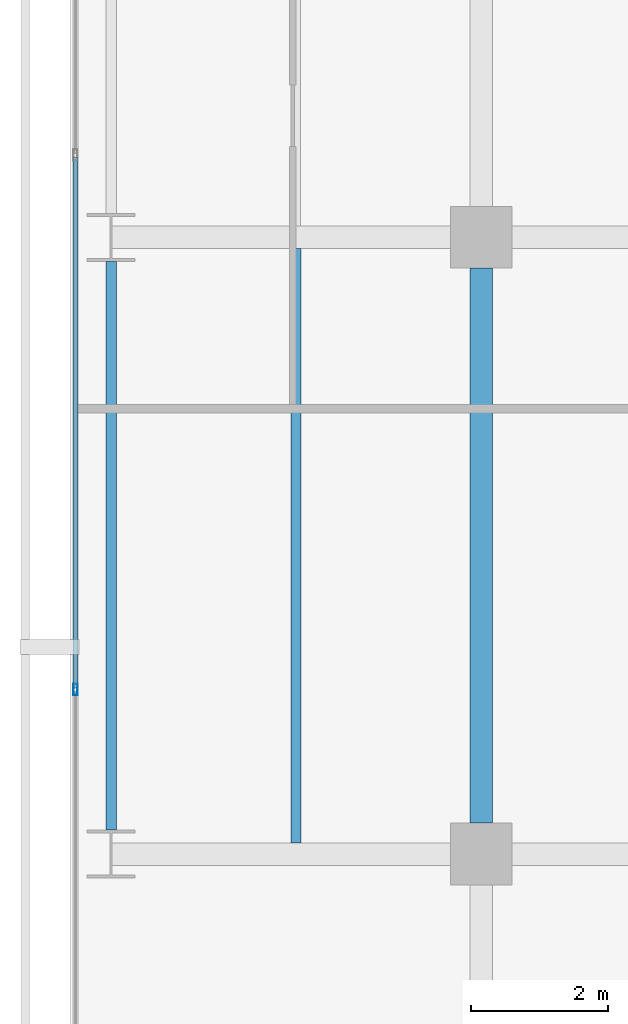
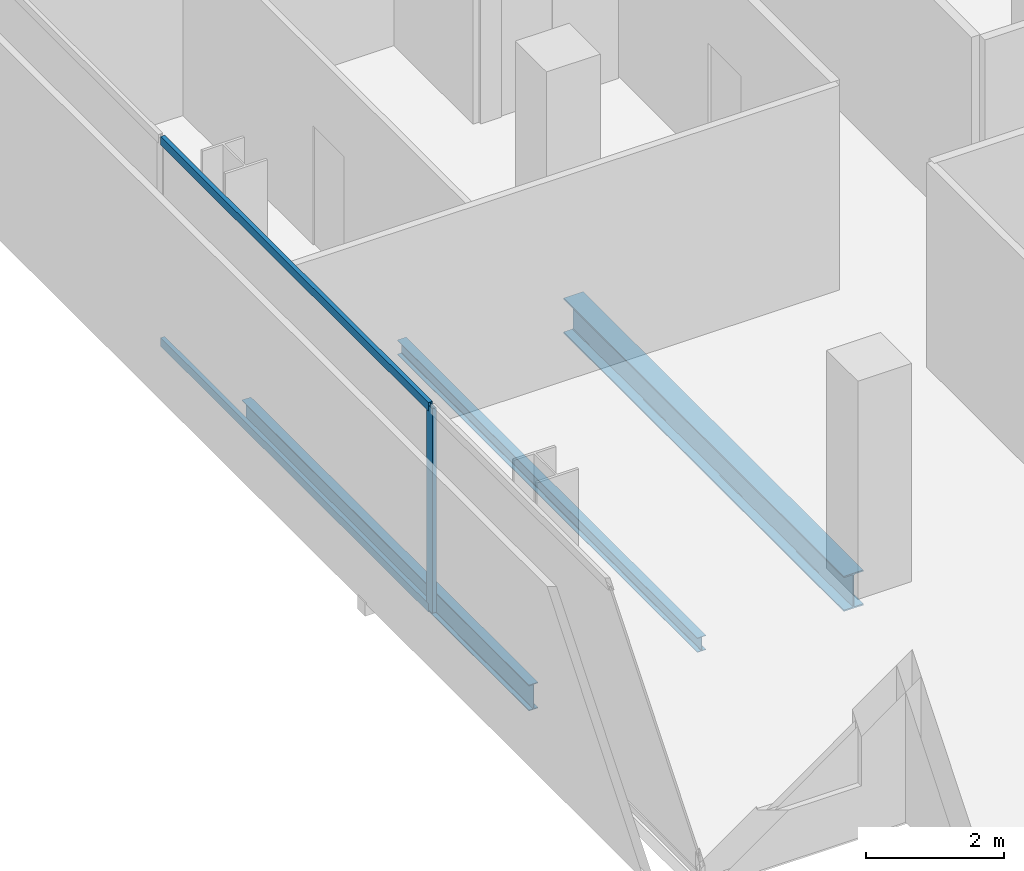
# One storey, part 5 of 39: 3 beams, 3 members, 1 element without a shape of its own.
"""IFC4 building model written with IfcOpenShell, lengths in metres."""

from ifc_helpers import new_model, si_unit, direction, frame, origin, origin_2d, place, context, subcontext, project, spatial, hollow_rectangle, i_section, extrude, material, layer, layer_set, material_profile, profile_set, type_object, element, aggregate, save


model = new_model("IFC4")

# Units and contexts
model_context = context("Model", 3, precision=1e-05, world=origin(), true_north=direction((0.0, 1.0)))
body_context = subcontext(model_context, "Body", "Model", "MODEL_VIEW")
ifc_project = project(units=[si_unit("LENGTHUNIT", "METRE"), si_unit("AREAUNIT", "SQUARE_METRE"), si_unit("VOLUMEUNIT", "CUBIC_METRE"), si_unit("PLANEANGLEUNIT", "RADIAN"), si_unit("MASSUNIT", "GRAM", prefix="KILO")], contexts=[model_context])

# Site, building, storey
site_placement = place(None, origin())
site = spatial("IfcSite", under=ifc_project, at=site_placement, CompositionType="ELEMENT")
building_placement = place(site_placement, origin())
building = spatial("IfcBuilding", under=site, at=building_placement, Name="Maruvema Waterfront Hotel and Observation Tower", CompositionType="ELEMENT")
storey_placement = place(building_placement, frame((0.0, 0.0, 69.300048828125)))
storey = spatial("IfcBuildingStorey", under=building, at=storey_placement, Name="L16", CompositionType="ELEMENT", Elevation=69.300048828125)

# Curtain wall, members
ifc_material_1 = material(Name="Anodised bronze aluminium and solar-control low-E IGU", Category="aluminium")
ifc_layer = layer(ifc_material_1, 0.159912109375, Name="Zone 1 Bronze Inner Thermal Curtain Wall System CW-02")
ifc_layer_set = layer_set([ifc_layer], Name="Anodised bronze aluminium and solar-control low-E IGU")
curtain_wall_type = type_object("IfcCurtainWallType", Name="Zone 1 Bronze Inner Thermal Curtain Wall System CW-02", PredefinedType="USERDEFINED", material=ifc_layer_set)
curtain_wall_placement = place(storey_placement, origin())
curtain_wall = element("IfcCurtainWall", 1, at=curtain_wall_placement, inside=storey, type_object=curtain_wall_type, Name="L16 Curtain Wall CW-L16-W", ObjectType="UNITISED CURTAIN WALL", PredefinedType="USERDEFINED")
ifc_material_2 = material(Name="Anodised architectural bronze aluminium", Category="aluminium")
ifc_material_profile_1 = material_profile(ifc_material_2, hollow_rectangle(XDim=0.070068359375, YDim=0.14990234375, WallThickness=0.00390625, at=origin_2d()), Name="ALU-T70x150")
ifc_profile_set_1 = profile_set([ifc_material_profile_1], Name="Anodised architectural bronze aluminium")
member_type_1 = type_object("IfcMemberType", Name="Curtain Wall Horizontal Transom ALU-T70x150", PredefinedType="USERDEFINED", material=ifc_profile_set_1)
member_1_placement = place(storey_placement, frame((10.8798828125, 19.169921875, 0.030029296875), z_axis=(0.0, -1.0, 0.0), x_axis=(1.0, 0.0, 0.0)))
member_1 = element("IfcMember", 2, at=member_1_placement, type_object=member_type_1, Name="CW-02 transom 5.1", ObjectType="TRANSOM", PredefinedType="USERDEFINED", context=body_context, shape_type="SweptSolid", body=[
    extrude(hollow_rectangle(XDim=0.070068359375, YDim=0.14990234375, WallThickness=0.00390625, at=origin_2d()), origin(), (0.0, 0.0, 1.0), 7.739990234375),
])
member_2_placement = place(storey_placement, frame((10.8798828125, 19.169921875, 3.579833984375), z_axis=(0.0, -1.0, 0.0), x_axis=(1.0, 0.0, 0.0)))
member_2 = element("IfcMember", 3, at=member_2_placement, type_object=member_type_1, Name="CW-02 transom 5.2", ObjectType="TRANSOM", PredefinedType="USERDEFINED", context=body_context, shape_type="SweptSolid", body=[
    extrude(hollow_rectangle(XDim=0.070068359375, YDim=0.14990234375, WallThickness=0.00390625, at=origin_2d()), origin(), (0.0, 0.0, 1.0), 7.739990234375),
])
ifc_material_3 = material(Name="Anodised architectural bronze aluminium", Category="aluminium")
ifc_material_profile_2 = material_profile(ifc_material_3, hollow_rectangle(XDim=0.06494140625, YDim=0.1650390625, WallThickness=0.00390625, at=origin_2d()), Name="ALU-M65x165")
ifc_profile_set_2 = profile_set([ifc_material_profile_2], Name="Anodised architectural bronze aluminium")
member_type_2 = type_object("IfcMemberType", Name="Curtain Wall Primary Mullion ALU-M65x165", PredefinedType="MULLION", material=ifc_profile_set_2)
member_3_placement = place(storey_placement, frame((10.8798828125, 11.39990234375, 0.0), z_axis=(0.0, 0.0, 1.0), x_axis=(1.0, 0.0, 0.0)))
member_3 = element("IfcMember", 4, at=member_3_placement, type_object=member_type_2, Name="CW-02 mullion 6", PredefinedType="MULLION", context=body_context, shape_type="SweptSolid", body=[
    extrude(hollow_rectangle(XDim=0.06494140625, YDim=0.1650390625, WallThickness=0.00390625, at=origin_2d()), origin(), (0.0, 0.0, 1.0), 3.60986328125),
])
aggregate(curtain_wall, [member_3, member_1, member_2])

# Beams
ifc_material_4 = material(Name="Steel ASTM A572 Grade 50", Category="steel")
ifc_material_profile_3 = material_profile(ifc_material_4, i_section(OverallWidth=0.153076171875, OverallDepth=0.455078125, WebThickness=0.008056640625, FlangeThickness=0.01318359375, FilletRadius=0.014892578125, at=origin_2d()), Name="W460x60.0")
ifc_profile_set_3 = profile_set([ifc_material_profile_3], Name="Steel ASTM A572 Grade 50")
beam_type_1 = type_object("IfcBeamType", Name="Perimeter Spandrel Beam W460x60.0", PredefinedType="SPANDREL", material=ifc_profile_set_3)
beam_1_placement = place(storey_placement, frame((11.39990234375, 9.35009765625, -0.467529296875), z_axis=(0.0, 1.0, 0.0), x_axis=(-1.0, 0.0, 0.0)))
element("IfcBeam", 5, at=beam_1_placement, inside=storey, type_object=beam_type_1, Name="L16 Floor Girder NS-01", PredefinedType="SPANDREL", context=body_context, shape_type="SweptSolid", body=[
    extrude(i_section(OverallWidth=0.153076171875, OverallDepth=0.455078125, WebThickness=0.008056640625, FlangeThickness=0.01318359375, FilletRadius=0.014892578125, at=origin_2d()), origin(), (0.0, 0.0, 1.0), 8.2998046875),
])
ifc_material_5 = material(Name="Steel ASTM A572 Grade 50", Category="steel")
ifc_material_profile_4 = material_profile(ifc_material_5, i_section(OverallWidth=0.326904296875, OverallDepth=0.6220703125, WebThickness=0.015380859375, FlangeThickness=0.0244140625, FilletRadius=0.01806640625, at=origin_2d()), Name="W610x195.0")
ifc_profile_set_4 = profile_set([ifc_material_profile_4], Name="Steel ASTM A572 Grade 50")
beam_type_2 = type_object("IfcBeamType", Name="Primary Floor Girder W610x195.0", PredefinedType="BEAM", material=ifc_profile_set_4)
beam_2_placement = place(storey_placement, frame((16.800048828125, 9.449951171875, -0.551025390625), z_axis=(0.0, 1.0, 0.0), x_axis=(-1.0, 0.0, 0.0)))
element("IfcBeam", 6, at=beam_2_placement, inside=storey, type_object=beam_type_2, Name="L16 Floor Girder NS-06", PredefinedType="BEAM", context=body_context, shape_type="SweptSolid", body=[
    extrude(i_section(OverallWidth=0.326904296875, OverallDepth=0.6220703125, WebThickness=0.015380859375, FlangeThickness=0.0244140625, FilletRadius=0.01806640625, at=origin_2d()), origin(), (0.0, 0.0, 1.0), 8.10009765625),
])
ifc_material_6 = material(Name="Steel ASTM A572 Grade 50", Category="steel")
ifc_material_profile_5 = material_profile(ifc_material_6, i_section(OverallWidth=0.14599609375, OverallDepth=0.258056640625, WebThickness=0.006103515625, FlangeThickness=0.009033203125, FilletRadius=0.012939453125, at=origin_2d()), Name="W250x32.7")
ifc_profile_set_5 = profile_set([ifc_material_profile_5], Name="Steel ASTM A572 Grade 50")
beam_type_3 = type_object("IfcBeamType", Name="Secondary Floor Joist W250x32.7", PredefinedType="JOIST", material=ifc_profile_set_5)
beam_3_placement = place(storey_placement, frame((14.10009765625, 9.16357421875, -0.369140625), z_axis=(0.0, 1.0, 0.0), x_axis=(-1.0, 0.0, 0.0)))
element("IfcBeam", 7, at=beam_3_placement, inside=storey, type_object=beam_type_3, Name="L16 Secondary Floor Joist JS-01", PredefinedType="JOIST", context=body_context, shape_type="SweptSolid", body=[
    extrude(i_section(OverallWidth=0.14599609375, OverallDepth=0.258056640625, WebThickness=0.006103515625, FlangeThickness=0.009033203125, FilletRadius=0.012939453125, at=origin_2d()), origin(), (0.0, 0.0, 1.0), 8.6728515625),
])

save(model, "model.ifc")
